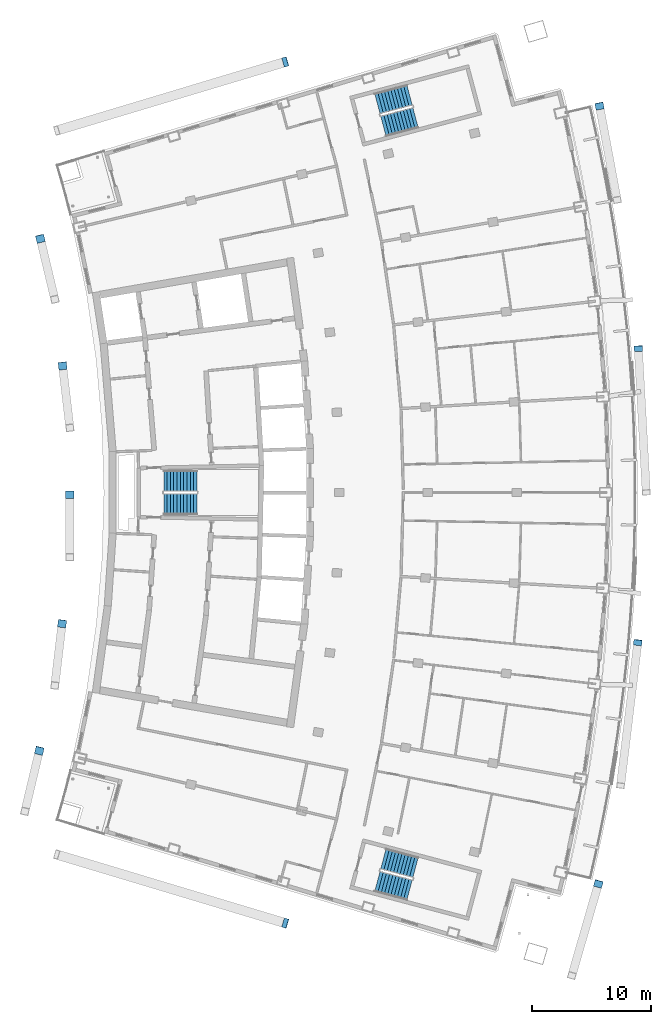
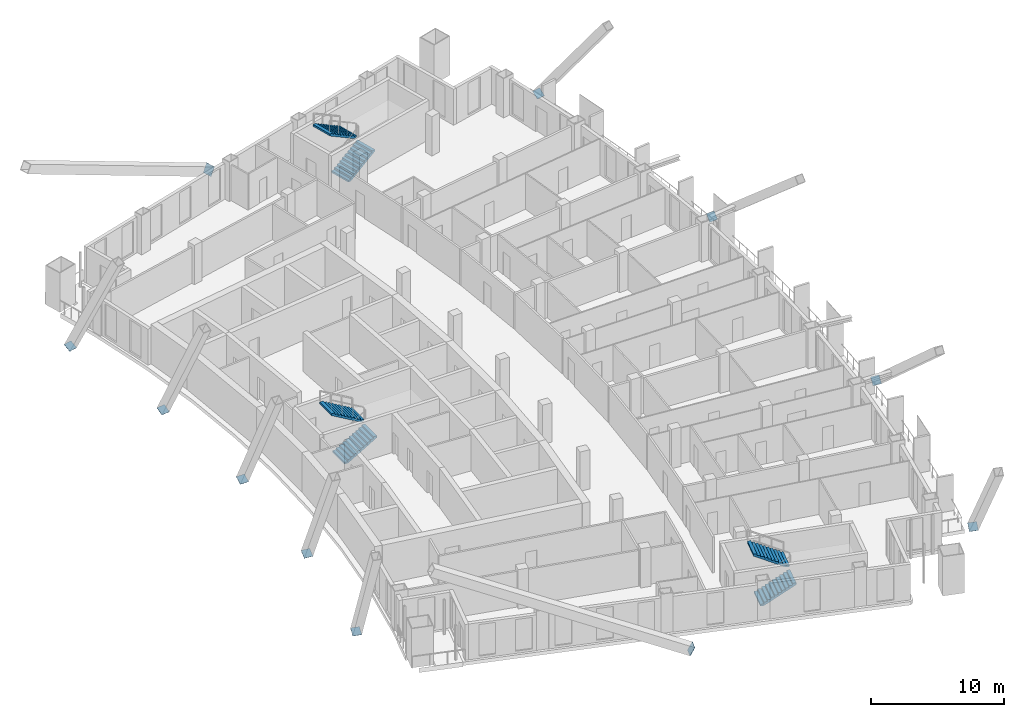
# One storey, part 16 of 19: 11 discrete accessories, 6 stair flights, 3 elements without a shape of their own.
"""IFC4 building model written with IfcOpenShell, lengths in metres."""

import ifcopenshell
import ifcopenshell.guid

model = None  # the IFC model being written
_history = None  # IfcOwnerHistory: only IFC2X3 demands one
_inside = {}  # id of a spatial element -> (the spatial element, [elements in it])
_under = {}  # id of a project, library or spatial element -> (it, [spatial elements below it])
_declared = {}  # id of a project -> (the project, [libraries it declares])
_typed = {}  # id of a type object -> (the type object, [elements of that type])
_made_of = {}  # id of a material, layer set ... -> (it, [elements and type objects made of it])


def new_model(schema):
    """Start an empty IFC model of exactly this schema.

    Asked for "IFC4X3", IfcOpenShell would pick the latest addendum, in which some entities
    have other attributes; the version numbers below select the first issue.
    IFC2X3 requires an IfcOwnerHistory on every rooted entity: one is made here for all.
    """
    global model, _history
    if schema == "IFC4X3":
        model = ifcopenshell.file(schema_version=(4, 3, 0, 0))
    else:
        model = ifcopenshell.file(schema=schema)
    _inside.clear()
    _under.clear()
    _declared.clear()
    _typed.clear()
    _made_of.clear()
    _history = None
    if model.schema == "IFC2X3":
        org = make("IfcOrganization", Name="unknown")
        user = make(
            "IfcPersonAndOrganization",
            ThePerson=make("IfcPerson", FamilyName="unknown"),
            TheOrganization=org,
        )
        app = make(
            "IfcApplication",
            ApplicationDeveloper=org,
            Version="unknown",
            ApplicationFullName="unknown",
            ApplicationIdentifier="unknown",
        )
        _history = make(
            "IfcOwnerHistory",
            OwningUser=user,
            OwningApplication=app,
            ChangeAction="ADDED",
            CreationDate=0,
        )
    return model


def make(cls, **values):
    """One entity of the class cls with the attributes given. An attribute that is None is left unset."""
    return model.create_entity(
        cls, **{name: value for name, value in values.items() if value is not None}
    )


def rooted(cls, **values):
    """An entity with a GlobalId (a new one), such as an element, a storey or a relation."""
    return make(cls, GlobalId=ifcopenshell.guid.new(), OwnerHistory=_history, **values)


def si_unit(unit_type, name, prefix=None):
    """IfcSIUnit, for example si_unit("LENGTHUNIT", "METRE", prefix="MILLI")."""
    return make("IfcSIUnit", UnitType=unit_type, Prefix=prefix, Name=name)


def assignment(units):
    """IfcUnitAssignment: the units of a project."""
    return None if units is None else make("IfcUnitAssignment", Units=units)


def point(xyz):
    """IfcCartesianPoint."""
    return None if xyz is None else make("IfcCartesianPoint", Coordinates=xyz)


def direction(xyz):
    """IfcDirection."""
    return None if xyz is None else make("IfcDirection", DirectionRatios=xyz)


def frame(location, z_axis=None, x_axis=None):
    """IfcAxis2Placement3D, a coordinate frame: its origin and axes. An axis left out is left unset."""
    return make(
        "IfcAxis2Placement3D",
        Location=point(location),
        Axis=direction(z_axis),
        RefDirection=direction(x_axis),
    )


def frame_2d(location, x_axis=None):
    """IfcAxis2Placement2D, a coordinate frame in the plane: its origin and x axis."""
    return make(
        "IfcAxis2Placement2D", Location=point(location), RefDirection=direction(x_axis)
    )


def origin():
    """The frame at (0, 0, 0) with its axes left unset."""
    return frame((0.0, 0.0, 0.0))


def origin_2d():
    """The frame at (0, 0) in the plane with its x axis left unset."""
    return frame_2d((0.0, 0.0))


def place(relative_to, where):
    """IfcLocalPlacement: puts the frame where relative to a parent placement (None: the world)."""
    return make(
        "IfcLocalPlacement", PlacementRelTo=relative_to, RelativePlacement=where
    )


def context(
    kind, dimensions, precision=None, world=None, true_north=None, identifier=None
):
    """IfcGeometricRepresentationContext, for example the 3D "Model" context."""
    return make(
        "IfcGeometricRepresentationContext",
        ContextIdentifier=identifier,
        ContextType=kind,
        CoordinateSpaceDimension=dimensions,
        Precision=precision,
        WorldCoordinateSystem=world,
        TrueNorth=true_north,
    )


def subcontext(parent, identifier, kind, view, scale=None):
    """IfcGeometricRepresentationSubContext, for example "Body" below "Model"."""
    return make(
        "IfcGeometricRepresentationSubContext",
        ContextIdentifier=identifier,
        ContextType=kind,
        ParentContext=parent,
        TargetScale=scale,
        TargetView=view,
    )


def project(units=None, contexts=None):
    """IfcProject with its units and contexts."""
    return rooted(
        "IfcProject",
        Name="project",
        RepresentationContexts=contexts,
        UnitsInContext=assignment(units),
    )


def spatial(cls, under=None, at=None, **own):
    """A site, building, storey or space (cls), placed at a placement, below another one or the project."""
    s = rooted(cls, ObjectPlacement=at, **own)
    if under is not None:
        _under.setdefault(under.id(), (under, []))[1].append(s)
    return s


def polyline(points):
    """IfcPolyline through the points."""
    return make("IfcPolyline", Points=[point(p) for p in points])


def profile(cls, at=None, kind="AREA", **sizes):
    """A parametric profile (cls). Its sizes go by their IFC names, for example OverallWidth=200.0."""
    return make(cls, ProfileType=kind, Position=at, **sizes)


def rectangle(**sizes):
    """IfcRectangleProfileDef."""
    return profile("IfcRectangleProfileDef", **sizes)


def outline(outer, holes=None, kind="AREA"):
    """IfcArbitraryClosedProfileDef: a profile drawn as a closed curve; with holes, ...WithVoids."""
    if holes is None:
        return make("IfcArbitraryClosedProfileDef", ProfileType=kind, OuterCurve=outer)
    return make(
        "IfcArbitraryProfileDefWithVoids",
        ProfileType=kind,
        OuterCurve=outer,
        InnerCurves=holes,
    )


def extrude(swept, where, along, depth):
    """IfcExtrudedAreaSolid: the profile swept, set in the frame where, extruded along a direction by depth."""
    return make(
        "IfcExtrudedAreaSolid",
        SweptArea=swept,
        Position=where,
        ExtrudedDirection=direction(along),
        Depth=depth,
    )


def shape(context_of_items, identifier, shape_type, items):
    """IfcShapeRepresentation: the items that make up one representation, for example the "Body"."""
    return make(
        "IfcShapeRepresentation",
        ContextOfItems=context_of_items,
        RepresentationIdentifier=identifier,
        RepresentationType=shape_type,
        Items=items,
    )


def material(Name=None, Category=None):
    """IfcMaterial."""
    return make("IfcMaterial", Name=Name, Category=Category)


def layer(
    of_material, thickness, ventilated=None, Name=None, Category=None, Priority=None
):
    """IfcMaterialLayer: one layer of a wall or slab, of a material (None: an air gap)."""
    return make(
        "IfcMaterialLayer",
        Material=of_material,
        LayerThickness=thickness,
        IsVentilated=ventilated,
        Name=Name,
        Category=Category,
        Priority=Priority,
    )


def layer_set(layers, Name=None):
    """IfcMaterialLayerSet."""
    return make("IfcMaterialLayerSet", MaterialLayers=layers, LayerSetName=Name)


def material_profile(
    of_material, cross_section, Name=None, Category=None, Priority=None
):
    """IfcMaterialProfile: a cross section and its material."""
    return make(
        "IfcMaterialProfile",
        Name=Name,
        Material=of_material,
        Profile=cross_section,
        Priority=Priority,
        Category=Category,
    )


def profile_set(profiles, Name=None, composite=None):
    """IfcMaterialProfileSet."""
    return make(
        "IfcMaterialProfileSet",
        Name=Name,
        MaterialProfiles=profiles,
        CompositeProfile=composite,
    )


def made_of(thing, what):
    """Note that an element or type object is made of a material, layer set ...; save() writes the relation."""
    if what is not None:
        _made_of.setdefault(what.id(), (what, []))[1].append(thing)
    return thing


def type_object(cls, material=None, **own):
    """A type object (cls), such as IfcWallType, which elements share."""
    return made_of(rooted(cls, **own), material)


def element(
    cls,
    number,
    at=None,
    inside=None,
    cuts=None,
    type_object=None,
    material=None,
    context=None,
    identifier="Body",
    shape_type=None,
    held_by="IfcProductDefinitionShape",
    body=None,
    shapes=None,
    **own,
):
    """One element of the class cls, such as IfcWall. Its Tag is "e" and its number.

    at: its placement. inside: the storey or other place that contains it. cuts: it is an
    opening in that element (IfcRelVoidsElement). A single representation is given by context,
    identifier, shape_type and body (its items); several are given by shapes. held_by: the class
    of the entity that holds the representations. save() writes the other relations.
    """
    e = rooted(cls, Tag="e%d" % number, ObjectPlacement=at, **own)
    if body is not None:
        shapes = [shape(context, identifier, shape_type, body)]
    if shapes is not None:
        e.Representation = make(held_by, Representations=shapes)
    if inside is not None:
        _inside.setdefault(inside.id(), (inside, []))[1].append(e)
    if cuts is not None:
        rooted(
            "IfcRelVoidsElement", RelatingBuildingElement=cuts, RelatedOpeningElement=e
        )
    if type_object is not None:
        _typed.setdefault(type_object.id(), (type_object, []))[1].append(e)
    return made_of(e, material)


def aggregate(whole, parts):
    """IfcRelAggregates: a whole, such as a stair, and the parts it consists of."""
    return rooted("IfcRelAggregates", RelatingObject=whole, RelatedObjects=parts)


def save(model, path):
    """Write the relations noted so far, then the file.

    IfcRelAggregates (storeys below a building ...), IfcRelContainedInSpatialStructure (elements
    in a storey), IfcRelDefinesByType, IfcRelAssociatesMaterial and IfcRelDeclares: one each for
    every whole, place, type object, material and project.
    """
    for whole, parts in _under.values():
        aggregate(whole, parts)
    for where, things in _inside.values():
        rooted(
            "IfcRelContainedInSpatialStructure",
            RelatedElements=things,
            RelatingStructure=where,
        )
    for kind, things in _typed.values():
        rooted("IfcRelDefinesByType", RelatedObjects=things, RelatingType=kind)
    for what, things in _made_of.values():
        rooted("IfcRelAssociatesMaterial", RelatedObjects=things, RelatingMaterial=what)
    for by, libraries in _declared.values():
        rooted("IfcRelDeclares", RelatingContext=by, RelatedDefinitions=libraries)
    model.write(path)


model = new_model("IFC4")

# Units and contexts
model_context = context("Model", 3, precision=1e-05, world=origin(), true_north=direction((0.0, 1.0)))
body_context = subcontext(model_context, "Body", "Model", "MODEL_VIEW")
ifc_project = project(units=[si_unit("LENGTHUNIT", "METRE"), si_unit("AREAUNIT", "SQUARE_METRE"), si_unit("VOLUMEUNIT", "CUBIC_METRE"), si_unit("PLANEANGLEUNIT", "RADIAN"), si_unit("MASSUNIT", "GRAM", prefix="KILO")], contexts=[model_context])

# Site, building, storey
site_placement = place(None, origin())
site = spatial("IfcSite", under=ifc_project, at=site_placement, CompositionType="ELEMENT")
building_placement = place(site_placement, origin())
building = spatial("IfcBuilding", under=site, at=building_placement, Name="Alderwake Tower", CompositionType="ELEMENT")
storey_placement = place(building_placement, frame((0.0, 0.0, 200.0)))
storey = spatial("IfcBuildingStorey", under=building, at=storey_placement, Name="L49", CompositionType="ELEMENT", Elevation=200.0)

# Stair, stair flights
ifc_material_1 = material(Name="Concrete C40/50", Category="concrete")
stair_type = type_object("IfcStairType", Name="Core exit stair", PredefinedType="HALF_TURN_STAIR", material=ifc_material_1)
stair_1_placement = place(storey_placement, origin())
stair_1 = element("IfcStair", 1, at=stair_1_placement, inside=storey, type_object=stair_type, Name="L49 Exit Stair B", PredefinedType="HALF_TURN_STAIR")
ifc_material_2 = material(Name="Concrete C40/50", Category="concrete")
ifc_layer = layer(ifc_material_2, 0.14990234375)
ifc_layer_set = layer_set([ifc_layer], Name="Core stair flight")
stair_flight_type = type_object("IfcStairFlightType", Name="Core stair flight", PredefinedType="STRAIGHT", material=ifc_layer_set)
stair_flight_1_placement = place(storey_placement, frame((21.0400390625, 60.02490234375, 0.0), z_axis=(0.0, 0.0, 1.0), x_axis=(1.0, 0.0, 0.0)))
stair_flight_1 = element("IfcStairFlight", 2, at=stair_flight_1_placement, type_object=stair_flight_type, Name="ST-B flight 1", NumberOfRisers=11, NumberOfTreads=10, PredefinedType="STRAIGHT", RiserHeight=0.163636364, TreadLength=0.28, context=body_context, shape_type="SweptSolid", body=[
    extrude(outline(polyline([(0.0, 0.0), (0.0, 0.16357421875), (0.280029296875, 0.16357421875), (0.280029296875, 0.327392578125), (0.56005859375, 0.327392578125), (0.56005859375, 0.490966796875), (0.840087890625, 0.490966796875), (0.840087890625, 0.654541015625), (1.1201171875, 0.654541015625), (1.1201171875, 0.818115234375), (1.39990234375, 0.818115234375), (1.39990234375, 0.98193359375), (1.679931640625, 0.98193359375), (1.679931640625, 1.1455078125), (1.9599609375, 1.1455078125), (1.9599609375, 1.30908203125), (2.239990234375, 1.30908203125), (2.239990234375, 1.47265625), (2.52001953125, 1.47265625), (2.52001953125, 1.636474609375), (2.800048828125, 1.636474609375), (2.800048828125, 1.800048828125), (2.800048828125, 1.462646484375), (0.297119140625, 0.0), (0.0, 0.0)])), frame((0.0, 0.89990234375, 0.0), z_axis=(0.0, -1.0, 0.0), x_axis=(1.0, 0.0, 0.0)), (0.0, 0.0, 1.0), 1.800048828125),
])
stair_flight_2_placement = place(storey_placement, frame((23.840087890625, 61.97509765625, 1.800048828125), z_axis=(0.0, 0.0, 1.0), x_axis=(-1.0, 0.0, 0.0)))
stair_flight_2 = element("IfcStairFlight", 3, at=stair_flight_2_placement, type_object=stair_flight_type, Name="ST-B flight 2", NumberOfRisers=11, NumberOfTreads=10, PredefinedType="STRAIGHT", RiserHeight=0.163636364, TreadLength=0.28, context=body_context, shape_type="SweptSolid", body=[
    extrude(outline(polyline([(0.0, 0.0), (0.0, 0.16357421875), (0.280029296875, 0.16357421875), (0.280029296875, 0.327392578125), (0.56005859375, 0.327392578125), (0.56005859375, 0.490966796875), (0.840087890625, 0.490966796875), (0.840087890625, 0.654541015625), (1.1201171875, 0.654541015625), (1.1201171875, 0.818115234375), (1.39990234375, 0.818115234375), (1.39990234375, 0.98193359375), (1.679931640625, 0.98193359375), (1.679931640625, 1.1455078125), (1.9599609375, 1.1455078125), (1.9599609375, 1.30908203125), (2.239990234375, 1.30908203125), (2.239990234375, 1.47265625), (2.52001953125, 1.47265625), (2.52001953125, 1.636474609375), (2.800048828125, 1.636474609375), (2.800048828125, 1.800048828125), (2.800048828125, 1.462646484375), (0.297119140625, 0.0), (0.0, 0.0)])), frame((0.0, 0.89990234375, 0.0), z_axis=(0.0, -1.0, 0.0), x_axis=(1.0, 0.0, 0.0)), (0.0, 0.0, 1.0), 1.800048828125),
])
aggregate(stair_1, [stair_flight_1, stair_flight_2])

stair_2_placement = place(storey_placement, origin())
stair_2 = element("IfcStair", 4, at=stair_2_placement, inside=storey, type_object=stair_type, Name="L49 Exit Stair A", PredefinedType="HALF_TURN_STAIR")
stair_flight_3_placement = place(storey_placement, frame((39.512939453125, 91.823974609375, 0.0), z_axis=(0.0, 0.0, 1.0), x_axis=(0.966309627437, 0.257382407951, 0.0)))
stair_flight_3 = element("IfcStairFlight", 5, at=stair_flight_3_placement, type_object=stair_flight_type, Name="ST-A flight 1", NumberOfRisers=11, NumberOfTreads=10, PredefinedType="STRAIGHT", RiserHeight=0.163636364, TreadLength=0.28, context=body_context, shape_type="SweptSolid", body=[
    extrude(outline(polyline([(0.0, 0.0), (0.0, 0.16357421875), (0.280029296875, 0.16357421875), (0.280029296875, 0.327392578125), (0.56005859375, 0.327392578125), (0.56005859375, 0.490966796875), (0.840087890625, 0.490966796875), (0.840087890625, 0.654541015625), (1.1201171875, 0.654541015625), (1.1201171875, 0.818115234375), (1.39990234375, 0.818115234375), (1.39990234375, 0.98193359375), (1.679931640625, 0.98193359375), (1.679931640625, 1.1455078125), (1.9599609375, 1.1455078125), (1.9599609375, 1.30908203125), (2.239990234375, 1.30908203125), (2.239990234375, 1.47265625), (2.52001953125, 1.47265625), (2.52001953125, 1.636474609375), (2.800048828125, 1.636474609375), (2.800048828125, 1.800048828125), (2.800048828125, 1.462646484375), (0.297119140625, 0.0), (0.0, 0.0)])), frame((0.0, 0.89990234375, 0.0), z_axis=(0.0, -1.0, 0.0), x_axis=(1.0, 0.0, 0.0)), (0.0, 0.0, 1.0), 1.800048828125),
])
stair_flight_4_placement = place(storey_placement, frame((41.716796875, 94.428955078125, 1.800048828125), z_axis=(0.0, 0.0, 1.0), x_axis=(-0.966309627437, -0.257382407951, 0.0)))
stair_flight_4 = element("IfcStairFlight", 6, at=stair_flight_4_placement, type_object=stair_flight_type, Name="ST-A flight 2", NumberOfRisers=11, NumberOfTreads=10, PredefinedType="STRAIGHT", RiserHeight=0.163636364, TreadLength=0.28, context=body_context, shape_type="SweptSolid", body=[
    extrude(outline(polyline([(0.0, 0.0), (0.0, 0.16357421875), (0.280029296875, 0.16357421875), (0.280029296875, 0.327392578125), (0.56005859375, 0.327392578125), (0.56005859375, 0.490966796875), (0.840087890625, 0.490966796875), (0.840087890625, 0.654541015625), (1.1201171875, 0.654541015625), (1.1201171875, 0.818115234375), (1.39990234375, 0.818115234375), (1.39990234375, 0.98193359375), (1.679931640625, 0.98193359375), (1.679931640625, 1.1455078125), (1.9599609375, 1.1455078125), (1.9599609375, 1.30908203125), (2.239990234375, 1.30908203125), (2.239990234375, 1.47265625), (2.52001953125, 1.47265625), (2.52001953125, 1.636474609375), (2.800048828125, 1.636474609375), (2.800048828125, 1.800048828125), (2.800048828125, 1.462646484375), (0.297119140625, 0.0), (0.0, 0.0)])), frame((0.0, 0.89990234375, 0.0), z_axis=(0.0, -1.0, 0.0), x_axis=(1.0, 0.0, 0.0)), (0.0, 0.0, 1.0), 1.800048828125),
])
aggregate(stair_2, [stair_flight_3, stair_flight_4])

stair_3_placement = place(storey_placement, origin())
stair_3 = element("IfcStair", 7, at=stair_3_placement, inside=storey, type_object=stair_type, Name="L49 Exit Stair C", PredefinedType="HALF_TURN_STAIR")
stair_flight_5_placement = place(storey_placement, frame((39.010986328125, 28.291748046875, 0.0), z_axis=(0.0, 0.0, 1.0), x_axis=(0.966309627437, -0.257382407951, 0.0)))
stair_flight_5 = element("IfcStairFlight", 8, at=stair_flight_5_placement, type_object=stair_flight_type, Name="ST-C flight 1", NumberOfRisers=11, NumberOfTreads=10, PredefinedType="STRAIGHT", RiserHeight=0.163636364, TreadLength=0.28, context=body_context, shape_type="SweptSolid", body=[
    extrude(outline(polyline([(0.0, 0.0), (0.0, 0.16357421875), (0.280029296875, 0.16357421875), (0.280029296875, 0.327392578125), (0.56005859375, 0.327392578125), (0.56005859375, 0.490966796875), (0.840087890625, 0.490966796875), (0.840087890625, 0.654541015625), (1.1201171875, 0.654541015625), (1.1201171875, 0.818115234375), (1.39990234375, 0.818115234375), (1.39990234375, 0.98193359375), (1.679931640625, 0.98193359375), (1.679931640625, 1.1455078125), (1.9599609375, 1.1455078125), (1.9599609375, 1.30908203125), (2.239990234375, 1.30908203125), (2.239990234375, 1.47265625), (2.52001953125, 1.47265625), (2.52001953125, 1.636474609375), (2.800048828125, 1.636474609375), (2.800048828125, 1.800048828125), (2.800048828125, 1.462646484375), (0.297119140625, 0.0), (0.0, 0.0)])), frame((0.0, 0.89990234375, 0.0), z_axis=(0.0, -1.0, 0.0), x_axis=(1.0, 0.0, 0.0)), (0.0, 0.0, 1.0), 1.800048828125),
])
stair_flight_6_placement = place(storey_placement, frame((42.218505859375, 29.455322265625, 1.800048828125), z_axis=(0.0, 0.0, 1.0), x_axis=(-0.966309627437, 0.257382407951, 0.0)))
stair_flight_6 = element("IfcStairFlight", 9, at=stair_flight_6_placement, type_object=stair_flight_type, Name="ST-C flight 2", NumberOfRisers=11, NumberOfTreads=10, PredefinedType="STRAIGHT", RiserHeight=0.163636364, TreadLength=0.28, context=body_context, shape_type="SweptSolid", body=[
    extrude(outline(polyline([(0.0, 0.0), (0.0, 0.16357421875), (0.280029296875, 0.16357421875), (0.280029296875, 0.327392578125), (0.56005859375, 0.327392578125), (0.56005859375, 0.490966796875), (0.840087890625, 0.490966796875), (0.840087890625, 0.654541015625), (1.1201171875, 0.654541015625), (1.1201171875, 0.818115234375), (1.39990234375, 0.818115234375), (1.39990234375, 0.98193359375), (1.679931640625, 0.98193359375), (1.679931640625, 1.1455078125), (1.9599609375, 1.1455078125), (1.9599609375, 1.30908203125), (2.239990234375, 1.30908203125), (2.239990234375, 1.47265625), (2.52001953125, 1.47265625), (2.52001953125, 1.636474609375), (2.800048828125, 1.636474609375), (2.800048828125, 1.800048828125), (2.800048828125, 1.462646484375), (0.297119140625, 0.0), (0.0, 0.0)])), frame((0.0, 0.89990234375, 0.0), z_axis=(0.0, -1.0, 0.0), x_axis=(1.0, 0.0, 0.0)), (0.0, 0.0, 1.0), 1.800048828125),
])
aggregate(stair_3, [stair_flight_5, stair_flight_6])

# Discrete accessories
ifc_material_3 = material(Name="Steel ASTM A572 Grade 50", Category="steel")
ifc_material_profile_1 = material_profile(ifc_material_3, rectangle(XDim=0.699951171875, YDim=0.699951171875, at=origin_2d()), Name="BOX 700X700X45 cap")
ifc_profile_set_1 = profile_set([ifc_material_profile_1], Name="Steel ASTM A572 Grade 50")
discrete_accessory_type_1 = type_object("IfcDiscreteAccessoryType", Name="End cap plate BOX 700X700X45", PredefinedType="USERDEFINED", material=ifc_profile_set_1)
for number, where, z_axis, x_axis, name in (
    (10, (57.59765625, 28.0693359375, 0.321533203125), (0.170170236093, 0.583440809463, -0.794127768436), (-0.96, 0.28, 0.0), "End cap BRF4.1.2B2 X"),
    (11, (60.913330078125, 48.3671875, 0.265869140625), (0.089380691217, 0.747547599273, -0.658166908055), (-0.992927816807, 0.11871963027, 0.0), "End cap BRF4.1.4B2 X"),
    (12, (60.96044921875, 73.09423828125, 0.265869140625), (-0.040756957297, 0.749928014264, -0.660262708211), (-0.998526420466, -0.054267740243, 0.0), "End cap BRF4.1.7B2 X"),
):
    element("IfcDiscreteAccessory", number, at=place(storey_placement, frame(where, z_axis=z_axis, x_axis=x_axis)), inside=storey, type_object=discrete_accessory_type_1, Name=name, ObjectType="END CAP", PredefinedType="USERDEFINED", context=body_context, shape_type="SweptSolid", body=[
        extrude(rectangle(XDim=0.699951171875, YDim=0.699951171875, at=origin_2d()), origin(), (0.0, 0.0, 1.0), 0.030029296875),
    ])
discrete_accessory_placement = place(storey_placement, frame((57.70068359375, 93.497314453125, 0.321533203125), z_axis=(-0.113272167466, 0.59872431375, -0.792905172263), x_axis=(-0.982570245697, -0.185891668105, 0.0)))
element("IfcDiscreteAccessory", 13, at=discrete_accessory_placement, inside=storey, type_object=discrete_accessory_type_1, Name="End cap BRF4.1.10B2 X", ObjectType="END CAP", PredefinedType="USERDEFINED", context=body_context, shape_type="SweptSolid", body=[
    extrude(rectangle(XDim=0.699951171875, YDim=0.699951171875, at=origin_2d()), origin(), (0.0, 0.0, 1.0), 0.0302734375),
])
for number, where, z_axis, x_axis, name in (
    (14, (10.571533203125, 39.27099609375, 0.39306640625), (0.105495990526, 0.438214114494, -0.892658381376), (-0.972223637158, 0.234053838575, 0.0), "End cap BRR4.1.2B2 X"),
    (15, (12.485107421875, 49.961669921875, 0.39306640625), (0.056826119483, 0.446490938798, -0.892981877596), (-0.991997911724, 0.126254279674, 0.0), "End cap BRR4.1.4B2 X"),
    (16, (13.141357421875, 60.802001953125, 0.39306640625), (0.0, 0.45368304067, -0.891163115601), (-1.0, 0.0, 0.0), "End cap BRR4.1.6B2 X"),
    (17, (12.53125, 71.645263671875, 0.39306640625), (-0.056826119483, 0.446490938798, -0.892981877596), (-0.991997911724, -0.126254279674, 0.0), "End cap BRR4.1.8B2 X"),
    (18, (10.6630859375, 82.34375, 0.39306640625), (-0.105495990526, 0.438214114494, -0.892658381376), (-0.972223637158, -0.234053838575, 0.0), "End cap BRR4.1.10B2 X"),
):
    element("IfcDiscreteAccessory", number, at=place(storey_placement, frame(where, z_axis=z_axis, x_axis=x_axis)), inside=storey, type_object=discrete_accessory_type_1, Name=name, ObjectType="END CAP", PredefinedType="USERDEFINED", context=body_context, shape_type="SweptSolid", body=[
        extrude(rectangle(XDim=0.699951171875, YDim=0.699951171875, at=origin_2d()), origin(), (0.0, 0.0, 1.0), 0.030029296875),
    ])
ifc_material_4 = material(Name="Steel ASTM A572 Grade 50", Category="steel")
ifc_material_profile_2 = material_profile(ifc_material_4, rectangle(XDim=0.800048828125, YDim=0.800048828125, at=origin_2d()), Name="BOX 800X800X50 cap")
ifc_profile_set_2 = profile_set([ifc_material_profile_2], Name="Steel ASTM A572 Grade 50")
discrete_accessory_type_2 = type_object("IfcDiscreteAccessoryType", Name="End cap plate BOX 800X800X50", PredefinedType="USERDEFINED", material=ifc_profile_set_2)
for number, where, z_axis, x_axis, name in (
    (19, (31.249755859375, 24.780517578125, 0.330810546875), (0.848421463916, -0.252894859437, -0.465000225416), (0.285656661543, 0.958332025822, 0.0), "End cap BRS4.1.0B2 X"),
    (20, (31.249755859375, 97.219482421875, 0.330810546875), (0.848421463916, 0.252894859437, -0.465000225416), (-0.285656661543, 0.958332025822, 0.0), "End cap BRN4.1.0B2 X"),
):
    element("IfcDiscreteAccessory", number, at=place(storey_placement, frame(where, z_axis=z_axis, x_axis=x_axis)), inside=storey, type_object=discrete_accessory_type_2, Name=name, ObjectType="END CAP", PredefinedType="USERDEFINED", context=body_context, shape_type="SweptSolid", body=[
        extrude(rectangle(XDim=0.800048828125, YDim=0.800048828125, at=origin_2d()), origin(), (0.0, 0.0, 1.0), 0.030029296875),
    ])

save(model, "model.ifc")
